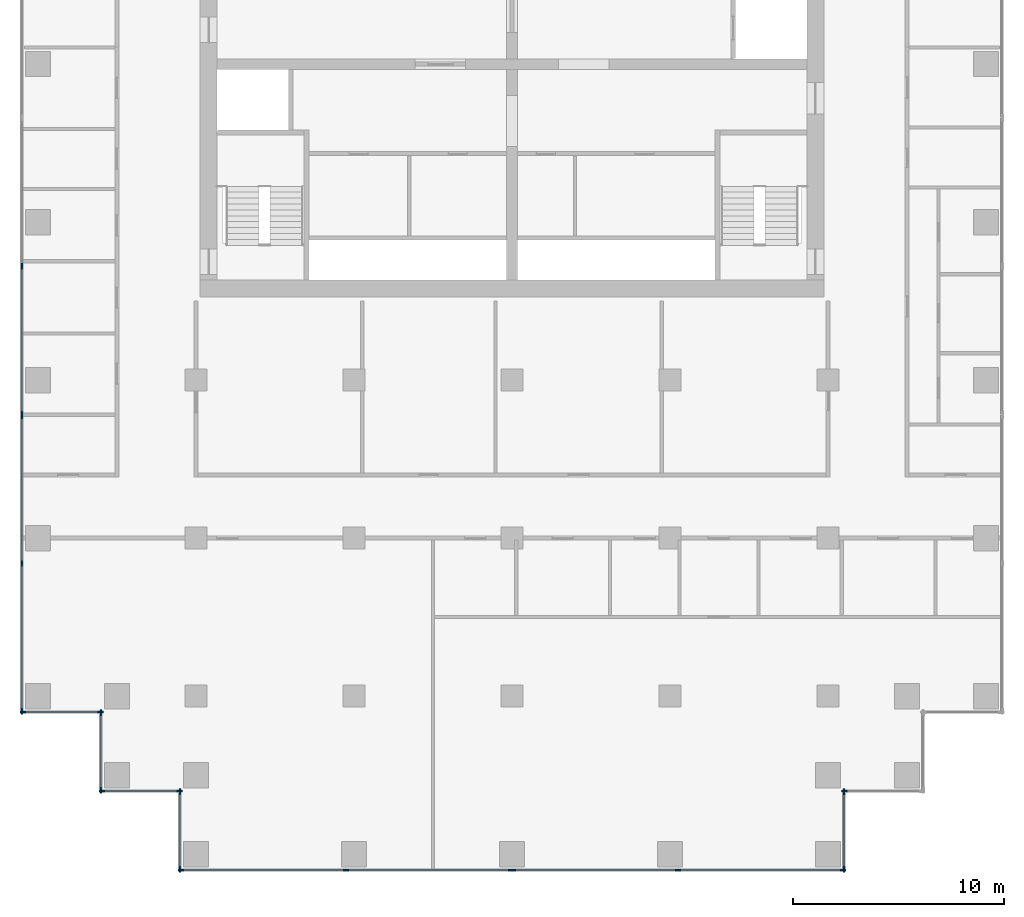
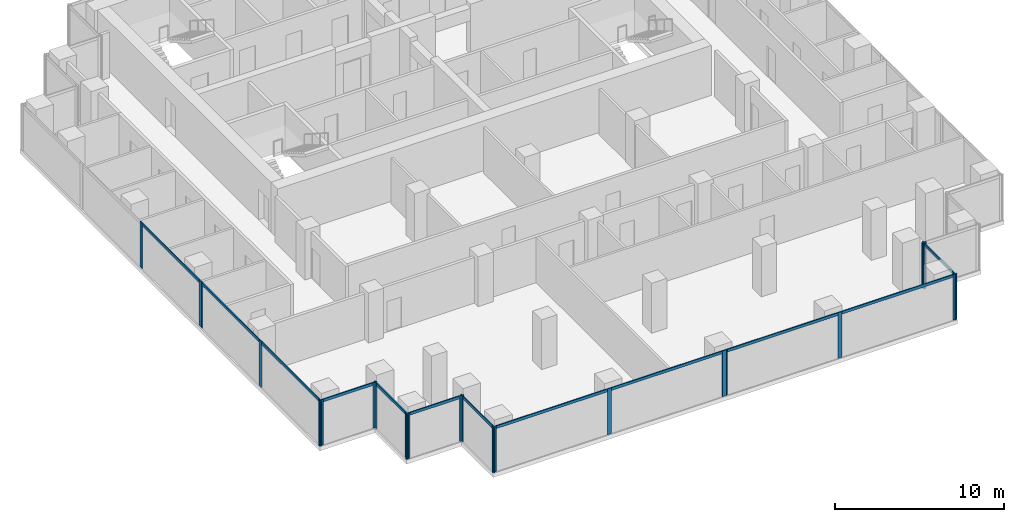
# One storey, part 2 of 10: 34 members, 10 elements without a shape of their own.
"""IFC4 building model written with IfcOpenShell, lengths in metres."""

from ifc_helpers import new_model, si_unit, direction, frame, origin, origin_2d, place, context, subcontext, project, spatial, rectangle, extrude, material, material_profile, profile_set, type_object, element, aggregate, save


model = new_model("IFC4")

# Units and contexts
model_context = context("Model", 3, precision=1e-05, world=origin(), true_north=direction((0.0, 1.0)))
body_context = subcontext(model_context, "Body", "Model", "MODEL_VIEW")
ifc_project = project(units=[si_unit("LENGTHUNIT", "METRE"), si_unit("AREAUNIT", "SQUARE_METRE"), si_unit("VOLUMEUNIT", "CUBIC_METRE"), si_unit("PLANEANGLEUNIT", "RADIAN"), si_unit("MASSUNIT", "GRAM", prefix="KILO")], contexts=[model_context])

# Site, building, storey
site_placement = place(None, origin())
site = spatial("IfcSite", under=ifc_project, at=site_placement, CompositionType="ELEMENT")
building_placement = place(site_placement, origin())
building = spatial("IfcBuilding", under=site, at=building_placement, Name="Pilkhan Gate Tower", CompositionType="ELEMENT")
storey_placement = place(building_placement, frame((0.0, 0.0, 162.10009765625)))
storey = spatial("IfcBuildingStorey", under=building, at=storey_placement, Name="L41", CompositionType="ELEMENT", Elevation=162.10009765625)

# Curtain wall, members
ifc_material_1 = material(Name="Pale anodised aluminium, clear low-iron double glazing", Category="aluminium")
curtain_wall_type = type_object("IfcCurtainWallType", Name="Office unitised curtain wall CW-O1", PredefinedType="USERDEFINED", material=ifc_material_1)
curtain_wall_1_placement = place(storey_placement, origin())
curtain_wall_1 = element("IfcCurtainWall", 1, at=curtain_wall_1_placement, inside=storey, type_object=curtain_wall_type, Name="Office unitised curtain wall CW-O1 L41 W", ObjectType="UNITISED CURTAIN WALL", PredefinedType="USERDEFINED")
ifc_material_2 = material(Name="Pale anodised aluminium", Category="aluminium")
ifc_material_profile_1 = material_profile(ifc_material_2, rectangle(XDim=0.070068359375, YDim=0.27490234375, at=origin_2d()), Name="Mullion 275x70")
ifc_profile_set_1 = profile_set([ifc_material_profile_1], Name="Pale anodised aluminium")
member_type_1 = type_object("IfcMemberType", Name="Mullion CW-O1 275x70", PredefinedType="MULLION", material=ifc_profile_set_1)
member_1_placement = place(storey_placement, frame((51.75, 51.784912109375, 0.0), z_axis=(0.0, 0.0, 1.0), x_axis=(-1.0, 0.0, 0.0)))
member_1 = element("IfcMember", 2, at=member_1_placement, type_object=member_type_1, Name="CW-O1 mullion 1", PredefinedType="MULLION", context=body_context, shape_type="SweptSolid", body=[
    extrude(rectangle(XDim=0.070068359375, YDim=0.27490234375, at=origin_2d()), origin(), (0.0, 0.0, 1.0), 3.2998046875),
])
member_2_placement = place(storey_placement, frame((51.75, 58.800048828125, 0.0), z_axis=(0.0, 0.0, 1.0), x_axis=(-1.0, 0.0, 0.0)))
member_2 = element("IfcMember", 3, at=member_2_placement, type_object=member_type_1, Name="CW-O1 mullion 2", PredefinedType="MULLION", context=body_context, shape_type="SweptSolid", body=[
    extrude(rectangle(XDim=0.070068359375, YDim=0.27490234375, at=origin_2d()), origin(), (0.0, 0.0, 1.0), 3.2998046875),
])
member_3_placement = place(storey_placement, frame((51.75, 65.81494140625, 0.0), z_axis=(0.0, 0.0, 1.0), x_axis=(-1.0, 0.0, 0.0)))
member_3 = element("IfcMember", 4, at=member_3_placement, type_object=member_type_1, Name="CW-O1 mullion 3", PredefinedType="MULLION", context=body_context, shape_type="SweptSolid", body=[
    extrude(rectangle(XDim=0.070068359375, YDim=0.27490234375, at=origin_2d()), origin(), (0.0, 0.0, 1.0), 3.2998046875),
])

curtain_wall_2_placement = place(storey_placement, origin())
curtain_wall_2 = element("IfcCurtainWall", 5, at=curtain_wall_2_placement, inside=storey, type_object=curtain_wall_type, Name="Office unitised curtain wall CW-O1 L41 W", ObjectType="UNITISED CURTAIN WALL", PredefinedType="USERDEFINED")
member_4_placement = place(storey_placement, frame((51.75, 65.885009765625, 0.0), z_axis=(0.0, 0.0, 1.0), x_axis=(-1.0, 0.0, 0.0)))
member_4 = element("IfcMember", 6, at=member_4_placement, type_object=member_type_1, Name="CW-O1 mullion 1", PredefinedType="MULLION", context=body_context, shape_type="SweptSolid", body=[
    extrude(rectangle(XDim=0.070068359375, YDim=0.27490234375, at=origin_2d()), origin(), (0.0, 0.0, 1.0), 3.2998046875),
])
member_5_placement = place(storey_placement, frame((51.75, 72.89990234375, 0.0), z_axis=(0.0, 0.0, 1.0), x_axis=(-1.0, 0.0, 0.0)))
member_5 = element("IfcMember", 7, at=member_5_placement, type_object=member_type_1, Name="CW-O1 mullion 2", PredefinedType="MULLION", context=body_context, shape_type="SweptSolid", body=[
    extrude(rectangle(XDim=0.070068359375, YDim=0.27490234375, at=origin_2d()), origin(), (0.0, 0.0, 1.0), 3.2998046875),
])

curtain_wall_3_placement = place(storey_placement, origin())
curtain_wall_3 = element("IfcCurtainWall", 8, at=curtain_wall_3_placement, inside=storey, type_object=curtain_wall_type, Name="Office unitised curtain wall CW-O1 L41 S", ObjectType="UNITISED CURTAIN WALL", PredefinedType="USERDEFINED")
member_6_placement = place(storey_placement, frame((51.784912109375, 51.75, 0.0), z_axis=(0.0, 0.0, 1.0), x_axis=(0.0, 1.0, 0.0)))
member_6 = element("IfcMember", 9, at=member_6_placement, type_object=member_type_1, Name="CW-O1 mullion 1", PredefinedType="MULLION", context=body_context, shape_type="SweptSolid", body=[
    extrude(rectangle(XDim=0.070068359375, YDim=0.27490234375, at=origin_2d()), origin(), (0.0, 0.0, 1.0), 3.2998046875),
])
member_7_placement = place(storey_placement, frame((55.465087890625, 51.75, 0.0), z_axis=(0.0, 0.0, 1.0), x_axis=(0.0, 1.0, 0.0)))
member_7 = element("IfcMember", 10, at=member_7_placement, type_object=member_type_1, Name="CW-O1 mullion 2", PredefinedType="MULLION", context=body_context, shape_type="SweptSolid", body=[
    extrude(rectangle(XDim=0.070068359375, YDim=0.27490234375, at=origin_2d()), origin(), (0.0, 0.0, 1.0), 3.2998046875),
])

curtain_wall_4_placement = place(storey_placement, origin())
curtain_wall_4 = element("IfcCurtainWall", 11, at=curtain_wall_4_placement, inside=storey, type_object=curtain_wall_type, Name="Office unitised curtain wall CW-O1 L41 W", ObjectType="UNITISED CURTAIN WALL", PredefinedType="USERDEFINED")
member_8_placement = place(storey_placement, frame((55.5, 48.034912109375, 0.0), z_axis=(0.0, 0.0, 1.0), x_axis=(-1.0, 0.0, 0.0)))
member_8 = element("IfcMember", 12, at=member_8_placement, type_object=member_type_1, Name="CW-O1 mullion 1", PredefinedType="MULLION", context=body_context, shape_type="SweptSolid", body=[
    extrude(rectangle(XDim=0.070068359375, YDim=0.27490234375, at=origin_2d()), origin(), (0.0, 0.0, 1.0), 3.2998046875),
])
member_9_placement = place(storey_placement, frame((55.5, 51.715087890625, 0.0), z_axis=(0.0, 0.0, 1.0), x_axis=(-1.0, 0.0, 0.0)))
member_9 = element("IfcMember", 13, at=member_9_placement, type_object=member_type_1, Name="CW-O1 mullion 2", PredefinedType="MULLION", context=body_context, shape_type="SweptSolid", body=[
    extrude(rectangle(XDim=0.070068359375, YDim=0.27490234375, at=origin_2d()), origin(), (0.0, 0.0, 1.0), 3.2998046875),
])

curtain_wall_5_placement = place(storey_placement, origin())
curtain_wall_5 = element("IfcCurtainWall", 14, at=curtain_wall_5_placement, inside=storey, type_object=curtain_wall_type, Name="Office unitised curtain wall CW-O1 L41 S", ObjectType="UNITISED CURTAIN WALL", PredefinedType="USERDEFINED")
member_10_placement = place(storey_placement, frame((55.534912109375, 48.0, 0.0), z_axis=(0.0, 0.0, 1.0), x_axis=(0.0, 1.0, 0.0)))
member_10 = element("IfcMember", 15, at=member_10_placement, type_object=member_type_1, Name="CW-O1 mullion 1", PredefinedType="MULLION", context=body_context, shape_type="SweptSolid", body=[
    extrude(rectangle(XDim=0.070068359375, YDim=0.27490234375, at=origin_2d()), origin(), (0.0, 0.0, 1.0), 3.2998046875),
])
member_11_placement = place(storey_placement, frame((59.215087890625, 48.0, 0.0), z_axis=(0.0, 0.0, 1.0), x_axis=(0.0, 1.0, 0.0)))
member_11 = element("IfcMember", 16, at=member_11_placement, type_object=member_type_1, Name="CW-O1 mullion 2", PredefinedType="MULLION", context=body_context, shape_type="SweptSolid", body=[
    extrude(rectangle(XDim=0.070068359375, YDim=0.27490234375, at=origin_2d()), origin(), (0.0, 0.0, 1.0), 3.2998046875),
])

curtain_wall_6_placement = place(storey_placement, origin())
curtain_wall_6 = element("IfcCurtainWall", 17, at=curtain_wall_6_placement, inside=storey, type_object=curtain_wall_type, Name="Office unitised curtain wall CW-O1 L41 W", ObjectType="UNITISED CURTAIN WALL", PredefinedType="USERDEFINED")
member_12_placement = place(storey_placement, frame((59.25, 44.284912109375, 0.0), z_axis=(0.0, 0.0, 1.0), x_axis=(-1.0, 0.0, 0.0)))
member_12 = element("IfcMember", 18, at=member_12_placement, type_object=member_type_1, Name="CW-O1 mullion 1", PredefinedType="MULLION", context=body_context, shape_type="SweptSolid", body=[
    extrude(rectangle(XDim=0.070068359375, YDim=0.27490234375, at=origin_2d()), origin(), (0.0, 0.0, 1.0), 3.2998046875),
])
member_13_placement = place(storey_placement, frame((59.25, 47.965087890625, 0.0), z_axis=(0.0, 0.0, 1.0), x_axis=(-1.0, 0.0, 0.0)))
member_13 = element("IfcMember", 19, at=member_13_placement, type_object=member_type_1, Name="CW-O1 mullion 2", PredefinedType="MULLION", context=body_context, shape_type="SweptSolid", body=[
    extrude(rectangle(XDim=0.070068359375, YDim=0.27490234375, at=origin_2d()), origin(), (0.0, 0.0, 1.0), 3.2998046875),
])

curtain_wall_7_placement = place(storey_placement, origin())
curtain_wall_7 = element("IfcCurtainWall", 20, at=curtain_wall_7_placement, inside=storey, type_object=curtain_wall_type, Name="Office unitised curtain wall CW-O1 L41 S", ObjectType="UNITISED CURTAIN WALL", PredefinedType="USERDEFINED")
member_14_placement = place(storey_placement, frame((59.284912109375, 44.25, 0.0), z_axis=(0.0, 0.0, 1.0), x_axis=(0.0, 1.0, 0.0)))
member_14 = element("IfcMember", 21, at=member_14_placement, type_object=member_type_1, Name="CW-O1 mullion 1", PredefinedType="MULLION", context=body_context, shape_type="SweptSolid", body=[
    extrude(rectangle(XDim=0.070068359375, YDim=0.27490234375, at=origin_2d()), origin(), (0.0, 0.0, 1.0), 3.2998046875),
])
member_15_placement = place(storey_placement, frame((67.125, 44.25, 0.0), z_axis=(0.0, 0.0, 1.0), x_axis=(0.0, 1.0, 0.0)))
member_15 = element("IfcMember", 22, at=member_15_placement, type_object=member_type_1, Name="CW-O1 mullion 2", PredefinedType="MULLION", context=body_context, shape_type="SweptSolid", body=[
    extrude(rectangle(XDim=0.070068359375, YDim=0.27490234375, at=origin_2d()), origin(), (0.0, 0.0, 1.0), 3.2998046875),
])
member_16_placement = place(storey_placement, frame((74.965087890625, 44.25, 0.0), z_axis=(0.0, 0.0, 1.0), x_axis=(0.0, 1.0, 0.0)))
member_16 = element("IfcMember", 23, at=member_16_placement, type_object=member_type_1, Name="CW-O1 mullion 3", PredefinedType="MULLION", context=body_context, shape_type="SweptSolid", body=[
    extrude(rectangle(XDim=0.070068359375, YDim=0.27490234375, at=origin_2d()), origin(), (0.0, 0.0, 1.0), 3.2998046875),
])

curtain_wall_8_placement = place(storey_placement, origin())
curtain_wall_8 = element("IfcCurtainWall", 24, at=curtain_wall_8_placement, inside=storey, type_object=curtain_wall_type, Name="Office unitised curtain wall CW-O1 L41 S", ObjectType="UNITISED CURTAIN WALL", PredefinedType="USERDEFINED")
member_17_placement = place(storey_placement, frame((75.034912109375, 44.25, 0.0), z_axis=(0.0, 0.0, 1.0), x_axis=(0.0, 1.0, 0.0)))
member_17 = element("IfcMember", 25, at=member_17_placement, type_object=member_type_1, Name="CW-O1 mullion 1", PredefinedType="MULLION", context=body_context, shape_type="SweptSolid", body=[
    extrude(rectangle(XDim=0.070068359375, YDim=0.27490234375, at=origin_2d()), origin(), (0.0, 0.0, 1.0), 3.2998046875),
])
member_18_placement = place(storey_placement, frame((82.875, 44.25, 0.0), z_axis=(0.0, 0.0, 1.0), x_axis=(0.0, 1.0, 0.0)))
member_18 = element("IfcMember", 26, at=member_18_placement, type_object=member_type_1, Name="CW-O1 mullion 2", PredefinedType="MULLION", context=body_context, shape_type="SweptSolid", body=[
    extrude(rectangle(XDim=0.070068359375, YDim=0.27490234375, at=origin_2d()), origin(), (0.0, 0.0, 1.0), 3.2998046875),
])
member_19_placement = place(storey_placement, frame((90.715087890625, 44.25, 0.0), z_axis=(0.0, 0.0, 1.0), x_axis=(0.0, 1.0, 0.0)))
member_19 = element("IfcMember", 27, at=member_19_placement, type_object=member_type_1, Name="CW-O1 mullion 3", PredefinedType="MULLION", context=body_context, shape_type="SweptSolid", body=[
    extrude(rectangle(XDim=0.070068359375, YDim=0.27490234375, at=origin_2d()), origin(), (0.0, 0.0, 1.0), 3.2998046875),
])

curtain_wall_9_placement = place(storey_placement, origin())
curtain_wall_9 = element("IfcCurtainWall", 28, at=curtain_wall_9_placement, inside=storey, type_object=curtain_wall_type, Name="Office unitised curtain wall CW-O1 L41 E", ObjectType="UNITISED CURTAIN WALL", PredefinedType="USERDEFINED")
member_20_placement = place(storey_placement, frame((90.75, 44.284912109375, 0.0), z_axis=(0.0, 0.0, 1.0), x_axis=(-1.0, 0.0, 0.0)))
member_20 = element("IfcMember", 29, at=member_20_placement, type_object=member_type_1, Name="CW-O1 mullion 1", PredefinedType="MULLION", context=body_context, shape_type="SweptSolid", body=[
    extrude(rectangle(XDim=0.070068359375, YDim=0.27490234375, at=origin_2d()), origin(), (0.0, 0.0, 1.0), 3.2998046875),
])
member_21_placement = place(storey_placement, frame((90.75, 47.965087890625, 0.0), z_axis=(0.0, 0.0, 1.0), x_axis=(-1.0, 0.0, 0.0)))
member_21 = element("IfcMember", 30, at=member_21_placement, type_object=member_type_1, Name="CW-O1 mullion 2", PredefinedType="MULLION", context=body_context, shape_type="SweptSolid", body=[
    extrude(rectangle(XDim=0.070068359375, YDim=0.27490234375, at=origin_2d()), origin(), (0.0, 0.0, 1.0), 3.2998046875),
])

# Curtain wall, member
curtain_wall_10_placement = place(storey_placement, origin())
curtain_wall_10 = element("IfcCurtainWall", 31, at=curtain_wall_10_placement, inside=storey, type_object=curtain_wall_type, Name="Office unitised curtain wall CW-O1 L41 S", ObjectType="UNITISED CURTAIN WALL", PredefinedType="USERDEFINED")
member_22_placement = place(storey_placement, frame((90.784912109375, 48.0, 0.0), z_axis=(0.0, 0.0, 1.0), x_axis=(0.0, 1.0, 0.0)))
member_22 = element("IfcMember", 32, at=member_22_placement, type_object=member_type_1, Name="CW-O1 mullion 1", PredefinedType="MULLION", context=body_context, shape_type="SweptSolid", body=[
    extrude(rectangle(XDim=0.070068359375, YDim=0.27490234375, at=origin_2d()), origin(), (0.0, 0.0, 1.0), 3.2998046875),
])
aggregate(curtain_wall_10, [member_22])

# Member
ifc_material_profile_2 = material_profile(ifc_material_2, rectangle(XDim=0.070068359375, YDim=0.199951171875, at=origin_2d()), Name="Transom 200x70")
ifc_profile_set_2 = profile_set([ifc_material_profile_2], Name="Pale anodised aluminium")
member_type_2 = type_object("IfcMemberType", Name="Transom CW-O1 200x70", PredefinedType="USERDEFINED", material=ifc_profile_set_2)
member_23_placement = place(storey_placement, frame((51.75, 51.820068359375, 3.199951171875), z_axis=(0.0, 1.0, 0.0), x_axis=(-1.0, 0.0, 0.0)))
member_23 = element("IfcMember", 33, at=member_23_placement, type_object=member_type_2, Name="CW-O1 transom 1", ObjectType="TRANSOM", PredefinedType="USERDEFINED", context=body_context, shape_type="SweptSolid", body=[
    extrude(rectangle(XDim=0.070068359375, YDim=0.199951171875, at=origin_2d()), origin(), (0.0, 0.0, 1.0), 6.94482421875),
])

member_24_placement = place(storey_placement, frame((51.75, 58.8349609375, 3.199951171875), z_axis=(0.0, 1.0, 0.0), x_axis=(-1.0, 0.0, 0.0)))
member_24 = element("IfcMember", 34, at=member_24_placement, type_object=member_type_2, Name="CW-O1 transom 2", ObjectType="TRANSOM", PredefinedType="USERDEFINED", context=body_context, shape_type="SweptSolid", body=[
    extrude(rectangle(XDim=0.070068359375, YDim=0.199951171875, at=origin_2d()), origin(), (0.0, 0.0, 1.0), 6.945068359375),
])

aggregate(curtain_wall_1, [member_1, member_2, member_3, member_23, member_24])

member_25_placement = place(storey_placement, frame((51.75, 65.919921875, 3.199951171875), z_axis=(0.0, 1.0, 0.0), x_axis=(-1.0, 0.0, 0.0)))
member_25 = element("IfcMember", 35, at=member_25_placement, type_object=member_type_2, Name="CW-O1 transom 1", ObjectType="TRANSOM", PredefinedType="USERDEFINED", context=body_context, shape_type="SweptSolid", body=[
    extrude(rectangle(XDim=0.070068359375, YDim=0.199951171875, at=origin_2d()), origin(), (0.0, 0.0, 1.0), 6.945068359375),
])

aggregate(curtain_wall_2, [member_4, member_5, member_25])

member_26_placement = place(storey_placement, frame((51.820068359375, 51.75, 3.199951171875), z_axis=(1.0, 0.0, 0.0), x_axis=(0.0, 1.0, 0.0)))
member_26 = element("IfcMember", 36, at=member_26_placement, type_object=member_type_2, Name="CW-O1 transom 1", ObjectType="TRANSOM", PredefinedType="USERDEFINED", context=body_context, shape_type="SweptSolid", body=[
    extrude(rectangle(XDim=0.070068359375, YDim=0.199951171875, at=origin_2d()), origin(), (0.0, 0.0, 1.0), 3.60986328125),
])

aggregate(curtain_wall_3, [member_6, member_7, member_26])

member_27_placement = place(storey_placement, frame((55.5, 48.070068359375, 3.199951171875), z_axis=(0.0, 1.0, 0.0), x_axis=(-1.0, 0.0, 0.0)))
member_27 = element("IfcMember", 37, at=member_27_placement, type_object=member_type_2, Name="CW-O1 transom 1", ObjectType="TRANSOM", PredefinedType="USERDEFINED", context=body_context, shape_type="SweptSolid", body=[
    extrude(rectangle(XDim=0.070068359375, YDim=0.199951171875, at=origin_2d()), origin(), (0.0, 0.0, 1.0), 3.60986328125),
])

aggregate(curtain_wall_4, [member_8, member_9, member_27])

member_28_placement = place(storey_placement, frame((55.570068359375, 48.0, 3.199951171875), z_axis=(1.0, 0.0, 0.0), x_axis=(0.0, 1.0, 0.0)))
member_28 = element("IfcMember", 38, at=member_28_placement, type_object=member_type_2, Name="CW-O1 transom 1", ObjectType="TRANSOM", PredefinedType="USERDEFINED", context=body_context, shape_type="SweptSolid", body=[
    extrude(rectangle(XDim=0.070068359375, YDim=0.199951171875, at=origin_2d()), origin(), (0.0, 0.0, 1.0), 3.60986328125),
])

aggregate(curtain_wall_5, [member_10, member_11, member_28])

member_29_placement = place(storey_placement, frame((59.25, 44.320068359375, 3.199951171875), z_axis=(0.0, 1.0, 0.0), x_axis=(-1.0, 0.0, 0.0)))
member_29 = element("IfcMember", 39, at=member_29_placement, type_object=member_type_2, Name="CW-O1 transom 1", ObjectType="TRANSOM", PredefinedType="USERDEFINED", context=body_context, shape_type="SweptSolid", body=[
    extrude(rectangle(XDim=0.070068359375, YDim=0.199951171875, at=origin_2d()), origin(), (0.0, 0.0, 1.0), 3.60986328125),
])

aggregate(curtain_wall_6, [member_12, member_13, member_29])

member_30_placement = place(storey_placement, frame((59.320068359375, 44.25, 3.199951171875), z_axis=(1.0, 0.0, 0.0), x_axis=(0.0, 1.0, 0.0)))
member_30 = element("IfcMember", 40, at=member_30_placement, type_object=member_type_2, Name="CW-O1 transom 1", ObjectType="TRANSOM", PredefinedType="USERDEFINED", context=body_context, shape_type="SweptSolid", body=[
    extrude(rectangle(XDim=0.070068359375, YDim=0.199951171875, at=origin_2d()), origin(), (0.0, 0.0, 1.0), 7.77001953125),
])

member_31_placement = place(storey_placement, frame((67.159912109375, 44.25, 3.199951171875), z_axis=(1.0, 0.0, 0.0), x_axis=(0.0, 1.0, 0.0)))
member_31 = element("IfcMember", 41, at=member_31_placement, type_object=member_type_2, Name="CW-O1 transom 2", ObjectType="TRANSOM", PredefinedType="USERDEFINED", context=body_context, shape_type="SweptSolid", body=[
    extrude(rectangle(XDim=0.070068359375, YDim=0.199951171875, at=origin_2d()), origin(), (0.0, 0.0, 1.0), 7.77001953125),
])

aggregate(curtain_wall_7, [member_14, member_15, member_16, member_30, member_31])

member_32_placement = place(storey_placement, frame((75.070068359375, 44.25, 3.199951171875), z_axis=(1.0, 0.0, 0.0), x_axis=(0.0, 1.0, 0.0)))
member_32 = element("IfcMember", 42, at=member_32_placement, type_object=member_type_2, Name="CW-O1 transom 1", ObjectType="TRANSOM", PredefinedType="USERDEFINED", context=body_context, shape_type="SweptSolid", body=[
    extrude(rectangle(XDim=0.070068359375, YDim=0.199951171875, at=origin_2d()), origin(), (0.0, 0.0, 1.0), 7.77001953125),
])

member_33_placement = place(storey_placement, frame((82.909912109375, 44.25, 3.199951171875), z_axis=(1.0, 0.0, 0.0), x_axis=(0.0, 1.0, 0.0)))
member_33 = element("IfcMember", 43, at=member_33_placement, type_object=member_type_2, Name="CW-O1 transom 2", ObjectType="TRANSOM", PredefinedType="USERDEFINED", context=body_context, shape_type="SweptSolid", body=[
    extrude(rectangle(XDim=0.070068359375, YDim=0.199951171875, at=origin_2d()), origin(), (0.0, 0.0, 1.0), 7.77001953125),
])

aggregate(curtain_wall_8, [member_17, member_18, member_19, member_32, member_33])

member_34_placement = place(storey_placement, frame((90.75, 44.320068359375, 3.199951171875), z_axis=(0.0, 1.0, 0.0), x_axis=(-1.0, 0.0, 0.0)))
member_34 = element("IfcMember", 44, at=member_34_placement, type_object=member_type_2, Name="CW-O1 transom 1", ObjectType="TRANSOM", PredefinedType="USERDEFINED", context=body_context, shape_type="SweptSolid", body=[
    extrude(rectangle(XDim=0.070068359375, YDim=0.199951171875, at=origin_2d()), origin(), (0.0, 0.0, 1.0), 3.60986328125),
])

aggregate(curtain_wall_9, [member_20, member_21, member_34])

save(model, "model.ifc")
